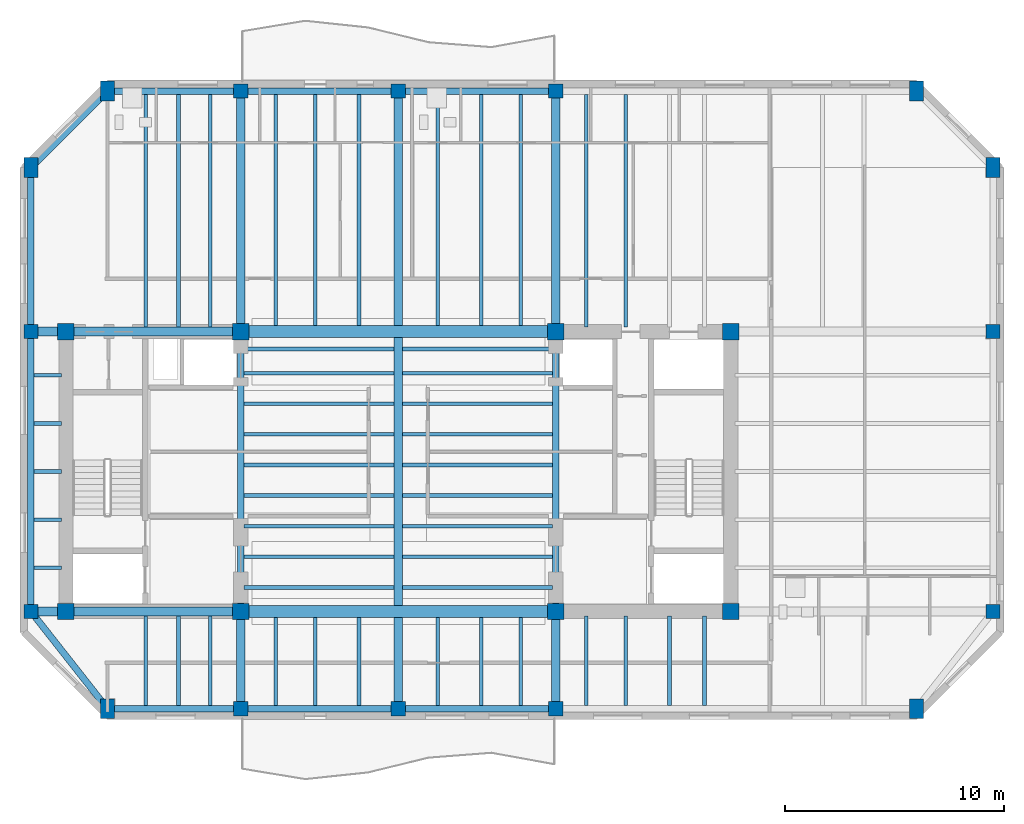
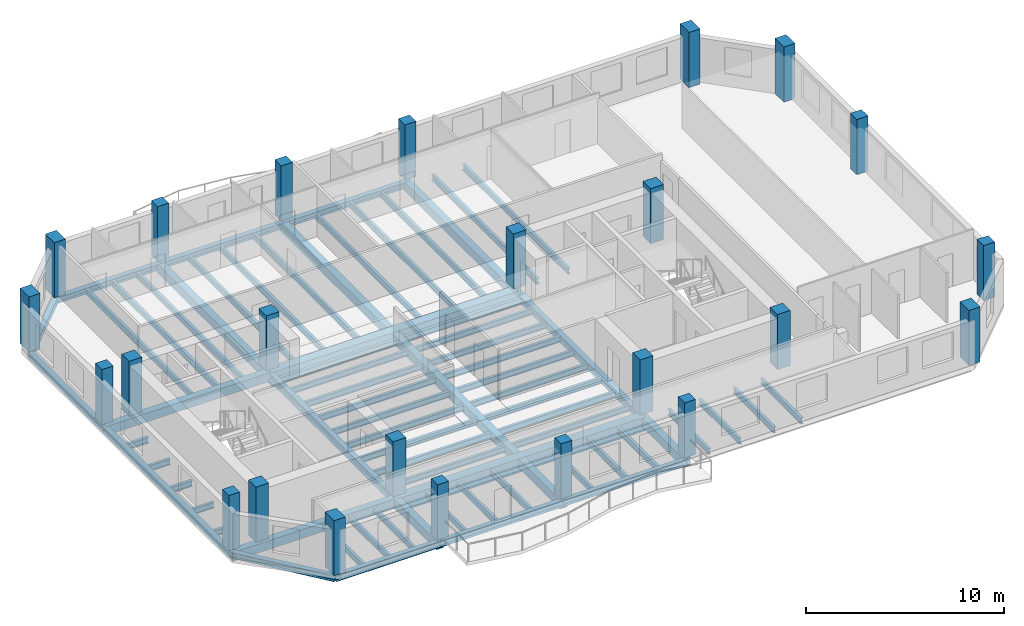
# One storey, part 1 of 9: 70 beams, 24 columns.
"""IFC4 building model written with IfcOpenShell, lengths in metres."""

from ifc_helpers import new_model, si_unit, direction, frame, origin, origin_2d, place, context, subcontext, project, spatial, rectangle, i_section, extrude, material, material_profile, profile_set, type_object, element, save


model = new_model("IFC4")

# Units and contexts
model_context = context("Model", 3, precision=1e-05, world=origin(), true_north=direction((0.0, 1.0)))
body_context = subcontext(model_context, "Body", "Model", "MODEL_VIEW")
ifc_project = project(units=[si_unit("LENGTHUNIT", "METRE"), si_unit("AREAUNIT", "SQUARE_METRE"), si_unit("VOLUMEUNIT", "CUBIC_METRE"), si_unit("PLANEANGLEUNIT", "RADIAN"), si_unit("MASSUNIT", "GRAM", prefix="KILO")], contexts=[model_context])

# Site, building, storey
site_placement = place(None, origin())
site = spatial("IfcSite", under=ifc_project, at=site_placement, CompositionType="ELEMENT")
building_placement = place(site_placement, origin())
building = spatial("IfcBuilding", under=site, at=building_placement, Name="Kranthara Brick Stack", CompositionType="ELEMENT")
storey_placement = place(building_placement, frame((0.0, 0.0, 251.699951171875)))
storey = spatial("IfcBuildingStorey", under=building, at=storey_placement, Name="L66", CompositionType="ELEMENT", Elevation=251.699951171875)

# Columns
ifc_material_1 = material(Name="Concrete C50/60", Category="concrete")
ifc_material_profile_1 = material_profile(ifc_material_1, rectangle(XDim=0.64990234375, YDim=0.89990234375, at=origin_2d()), Name="RC 650x900")
ifc_profile_set_1 = profile_set([ifc_material_profile_1], Name="Concrete C50/60")
column_type_1 = type_object("IfcColumnType", Name="COL-CHAM-650x900", PredefinedType="COLUMN", material=ifc_profile_set_1)
for number, where, z_axis, x_axis, name in (
    (1, (14.699951171875, 16.35009765625, 0.0), (0.0, 0.0, 1.0), (1.0, 0.0, 0.0), "L66 Column 09"),
    (2, (14.699951171875, 44.60009765625, 0.0), (0.0, 0.0, 1.0), (1.0, 0.0, 0.0), "L66 Column 10"),
    (3, (51.699951171875, 16.35009765625, 0.0), (0.0, 0.0, 1.0), (1.0, 0.0, 0.0), "L66 Column 17"),
    (4, (51.699951171875, 44.60009765625, 0.0), (0.0, 0.0, 1.0), (1.0, 0.0, 0.0), "L66 Column 18"),
    (5, (11.199951171875, 41.10009765625, 0.0), (0.0, 0.0, 1.0), (1.0, 0.0, 0.0), "L66 Column 23"),
    (6, (55.199951171875, 41.10009765625, 0.0), (0.0, 0.0, 1.0), (1.0, 0.0, 0.0), "L66 Column 24"),
):
    element("IfcColumn", number, at=place(storey_placement, frame(where, z_axis=z_axis, x_axis=x_axis)), inside=storey, type_object=column_type_1, Name=name, PredefinedType="COLUMN", context=body_context, shape_type="SweptSolid", body=[
        extrude(rectangle(XDim=0.64990234375, YDim=0.89990234375, at=origin_2d()), origin(), (0.0, 0.0, 1.0), 3.400146484375),
    ])
ifc_material_2 = material(Name="Concrete C50/60", Category="concrete")
ifc_material_profile_2 = material_profile(ifc_material_2, rectangle(XDim=0.75, YDim=0.75, at=origin_2d()), Name="RC 750x750")
ifc_profile_set_2 = profile_set([ifc_material_profile_2], Name="Concrete C50/60")
column_type_2 = type_object("IfcColumnType", Name="COL-CORE-750", PredefinedType="COLUMN", material=ifc_profile_set_2)
for number, where, z_axis, x_axis, name in (
    (7, (12.800048828125, 20.800048828125, 0.0), (0.0, 0.0, 1.0), (1.0, 0.0, 0.0), "L66 Column 01"),
    (8, (20.800048828125, 20.800048828125, 0.0), (0.0, 0.0, 1.0), (1.0, 0.0, 0.0), "L66 Column 02"),
    (9, (12.800048828125, 33.60009765625, 0.0), (0.0, 0.0, 1.0), (1.0, 0.0, 0.0), "L66 Column 03"),
    (10, (20.800048828125, 33.60009765625, 0.0), (0.0, 0.0, 1.0), (1.0, 0.0, 0.0), "L66 Column 04"),
    (11, (35.199951171875, 20.800048828125, 0.0), (0.0, 0.0, 1.0), (1.0, 0.0, 0.0), "L66 Column 05"),
    (12, (43.199951171875, 20.800048828125, 0.0), (0.0, 0.0, 1.0), (1.0, 0.0, 0.0), "L66 Column 06"),
    (13, (35.199951171875, 33.60009765625, 0.0), (0.0, 0.0, 1.0), (1.0, 0.0, 0.0), "L66 Column 07"),
    (14, (43.199951171875, 33.60009765625, 0.0), (0.0, 0.0, 1.0), (1.0, 0.0, 0.0), "L66 Column 08"),
):
    element("IfcColumn", number, at=place(storey_placement, frame(where, z_axis=z_axis, x_axis=x_axis)), inside=storey, type_object=column_type_2, Name=name, PredefinedType="COLUMN", context=body_context, shape_type="SweptSolid", body=[
        extrude(rectangle(XDim=0.75, YDim=0.75, at=origin_2d()), origin(), (0.0, 0.0, 1.0), 3.400146484375),
    ])
ifc_material_3 = material(Name="Concrete C50/60", Category="concrete")
ifc_material_profile_3 = material_profile(ifc_material_3, rectangle(XDim=0.64990234375, YDim=0.64990234375, at=origin_2d()), Name="RC 650x650")
ifc_profile_set_3 = profile_set([ifc_material_profile_3], Name="Concrete C50/60")
column_type_3 = type_object("IfcColumnType", Name="COL-PER-650", PredefinedType="COLUMN", material=ifc_profile_set_3)
for number, where, z_axis, x_axis, name in (
    (15, (20.800048828125, 16.35009765625, 0.0), (0.0, 0.0, 1.0), (1.0, 0.0, 0.0), "L66 Column 11"),
    (16, (20.800048828125, 44.60009765625, 0.0), (0.0, 0.0, 1.0), (1.0, 0.0, 0.0), "L66 Column 12"),
    (17, (28.0, 16.35009765625, 0.0), (0.0, 0.0, 1.0), (1.0, 0.0, 0.0), "L66 Column 13"),
    (18, (28.0, 44.60009765625, 0.0), (0.0, 0.0, 1.0), (1.0, 0.0, 0.0), "L66 Column 14"),
    (19, (35.199951171875, 16.35009765625, 0.0), (0.0, 0.0, 1.0), (1.0, 0.0, 0.0), "L66 Column 15"),
    (20, (35.199951171875, 44.60009765625, 0.0), (0.0, 0.0, 1.0), (1.0, 0.0, 0.0), "L66 Column 16"),
    (21, (11.199951171875, 20.800048828125, 0.0), (0.0, 0.0, 1.0), (1.0, 0.0, 0.0), "L66 Column 19"),
    (22, (55.199951171875, 20.800048828125, 0.0), (0.0, 0.0, 1.0), (1.0, 0.0, 0.0), "L66 Column 20"),
    (23, (11.199951171875, 33.60009765625, 0.0), (0.0, 0.0, 1.0), (1.0, 0.0, 0.0), "L66 Column 21"),
    (24, (55.199951171875, 33.60009765625, 0.0), (0.0, 0.0, 1.0), (1.0, 0.0, 0.0), "L66 Column 22"),
):
    element("IfcColumn", number, at=place(storey_placement, frame(where, z_axis=z_axis, x_axis=x_axis)), inside=storey, type_object=column_type_3, Name=name, PredefinedType="COLUMN", context=body_context, shape_type="SweptSolid", body=[
        extrude(rectangle(XDim=0.64990234375, YDim=0.64990234375, at=origin_2d()), origin(), (0.0, 0.0, 1.0), 3.400146484375),
    ])

# Beams
ifc_material_4 = material(Name="Concrete C50/60", Category="concrete")
ifc_material_profile_4 = material_profile(ifc_material_4, rectangle(XDim=0.550048828125, YDim=0.85009765625, at=origin_2d()), Name="RC 550x850")
ifc_profile_set_4 = profile_set([ifc_material_profile_4], Name="Concrete C50/60")
beam_type_1 = type_object("IfcBeamType", Name="BM-CPL-RC850", PredefinedType="LINTEL", material=ifc_profile_set_4)
for number, where, z_axis, x_axis, name in (
    (25, (20.800048828125, 20.800048828125, -0.724853515625), (1.0, 0.0, 0.0), (0.0, 1.0, 0.0), "L66 Core Coupling Beam 001"),
    (26, (20.800048828125, 33.60009765625, -0.724853515625), (1.0, 0.0, 0.0), (0.0, 1.0, 0.0), "L66 Core Coupling Beam 002"),
):
    element("IfcBeam", number, at=place(storey_placement, frame(where, z_axis=z_axis, x_axis=x_axis)), inside=storey, type_object=beam_type_1, Name=name, PredefinedType="LINTEL", context=body_context, shape_type="SweptSolid", body=[
        extrude(rectangle(XDim=0.550048828125, YDim=0.85009765625, at=origin_2d()), origin(), (0.0, 0.0, 1.0), 14.39990234375),
    ])
ifc_material_5 = material(Name="Post-tensioned concrete C45/55", Category="concrete")
ifc_material_profile_5 = material_profile(ifc_material_5, rectangle(XDim=0.39990234375, YDim=0.550048828125, at=origin_2d()), Name="PT 400x550")
ifc_profile_set_5 = profile_set([ifc_material_profile_5], Name="Post-tensioned concrete C45/55")
beam_type_2 = type_object("IfcBeamType", Name="BM-FLR-PT550", PredefinedType="BEAM", material=ifc_profile_set_5)
beam_1_placement = place(storey_placement, frame((20.800048828125, 16.35009765625, -0.574951171875), z_axis=(0.0, 1.0, 0.0), x_axis=(-1.0, 0.0, 0.0)))
element("IfcBeam", 27, at=beam_1_placement, inside=storey, type_object=beam_type_2, Name="L66 Primary Grid Girder 021", PredefinedType="BEAM", context=body_context, shape_type="SweptSolid", body=[
    extrude(rectangle(XDim=0.39990234375, YDim=0.550048828125, at=origin_2d()), origin(), (0.0, 0.0, 1.0), 4.449951171875),
])
beam_2_placement = place(storey_placement, frame((20.800048828125, 33.60009765625, -0.574951171875), z_axis=(0.0, 1.0, 0.0), x_axis=(-1.0, 0.0, 0.0)))
element("IfcBeam", 28, at=beam_2_placement, inside=storey, type_object=beam_type_2, Name="L66 Primary Grid Girder 022", PredefinedType="BEAM", context=body_context, shape_type="SweptSolid", body=[
    extrude(rectangle(XDim=0.39990234375, YDim=0.550048828125, at=origin_2d()), origin(), (0.0, 0.0, 1.0), 11.0),
])
beam_3_placement = place(storey_placement, frame((28.0, 16.35009765625, -0.574951171875), z_axis=(0.0, 1.0, 0.0), x_axis=(-1.0, 0.0, 0.0)))
element("IfcBeam", 29, at=beam_3_placement, inside=storey, type_object=beam_type_2, Name="L66 Primary Grid Girder 023", PredefinedType="BEAM", context=body_context, shape_type="SweptSolid", body=[
    extrude(rectangle(XDim=0.39990234375, YDim=0.550048828125, at=origin_2d()), origin(), (0.0, 0.0, 1.0), 4.1748046875),
])
beam_4_placement = place(storey_placement, frame((28.0, 21.074951171875, -0.574951171875), z_axis=(0.0, 1.0, 0.0), x_axis=(-1.0, 0.0, 0.0)))
element("IfcBeam", 30, at=beam_4_placement, inside=storey, type_object=beam_type_2, Name="L66 Central Spine Girder 024", PredefinedType="BEAM", context=body_context, shape_type="SweptSolid", body=[
    extrude(rectangle(XDim=0.39990234375, YDim=0.550048828125, at=origin_2d()), origin(), (0.0, 0.0, 1.0), 12.25),
])
beam_5_placement = place(storey_placement, frame((28.0, 33.875, -0.574951171875), z_axis=(0.0, 1.0, 0.0), x_axis=(-1.0, 0.0, 0.0)))
element("IfcBeam", 31, at=beam_5_placement, inside=storey, type_object=beam_type_2, Name="L66 Primary Grid Girder 025", PredefinedType="BEAM", context=body_context, shape_type="SweptSolid", body=[
    extrude(rectangle(XDim=0.39990234375, YDim=0.550048828125, at=origin_2d()), origin(), (0.0, 0.0, 1.0), 10.72509765625),
])
beam_6_placement = place(storey_placement, frame((35.199951171875, 16.35009765625, -0.574951171875), z_axis=(0.0, 1.0, 0.0), x_axis=(-1.0, 0.0, 0.0)))
element("IfcBeam", 32, at=beam_6_placement, inside=storey, type_object=beam_type_2, Name="L66 Primary Grid Girder 026", PredefinedType="BEAM", context=body_context, shape_type="SweptSolid", body=[
    extrude(rectangle(XDim=0.39990234375, YDim=0.550048828125, at=origin_2d()), origin(), (0.0, 0.0, 1.0), 4.449951171875),
])
beam_7_placement = place(storey_placement, frame((35.199951171875, 33.60009765625, -0.574951171875), z_axis=(0.0, 1.0, 0.0), x_axis=(-1.0, 0.0, 0.0)))
element("IfcBeam", 33, at=beam_7_placement, inside=storey, type_object=beam_type_2, Name="L66 Primary Grid Girder 027", PredefinedType="BEAM", context=body_context, shape_type="SweptSolid", body=[
    extrude(rectangle(XDim=0.39990234375, YDim=0.550048828125, at=origin_2d()), origin(), (0.0, 0.0, 1.0), 11.0),
])
for number, where, z_axis, x_axis, name in (
    (34, (11.199951171875, 20.800048828125, -0.574951171875), (1.0, 0.0, 0.0), (0.0, 1.0, 0.0), "L66 Primary Grid Girder 028"),
    (35, (11.199951171875, 33.60009765625, -0.574951171875), (1.0, 0.0, 0.0), (0.0, 1.0, 0.0), "L66 Primary Grid Girder 030"),
):
    element("IfcBeam", number, at=place(storey_placement, frame(where, z_axis=z_axis, x_axis=x_axis)), inside=storey, type_object=beam_type_2, Name=name, PredefinedType="BEAM", context=body_context, shape_type="SweptSolid", body=[
        extrude(rectangle(XDim=0.39990234375, YDim=0.550048828125, at=origin_2d()), origin(), (0.0, 0.0, 1.0), 9.60009765625),
    ])
ifc_material_6 = material(Name="Steel S355", Category="steel")
ifc_material_profile_6 = material_profile(ifc_material_6, i_section(OverallWidth=0.169921875, OverallDepth=0.360107421875, WebThickness=0.008056640625, FlangeThickness=0.0126953125, at=origin_2d()), Name="IPE 360")
ifc_profile_set_6 = profile_set([ifc_material_profile_6], Name="Steel S355")
beam_type_3 = type_object("IfcBeamType", Name="BM-JST-IPE360", PredefinedType="JOIST", material=ifc_profile_set_6)
for number, where, z_axis, x_axis, name in (
    (36, (20.949951171875, 21.89990234375, -0.47998046875), (1.0, 0.0, 0.0), (0.0, 1.0, 0.0), "L66 Central Floor Joist 032"),
    (37, (28.199951171875, 21.89990234375, -0.47998046875), (1.0, 0.0, 0.0), (0.0, 1.0, 0.0), "L66 Central Floor Joist 033"),
    (38, (20.949951171875, 23.300048828125, -0.47998046875), (1.0, 0.0, 0.0), (0.0, 1.0, 0.0), "L66 Central Floor Joist 034"),
    (39, (28.199951171875, 23.300048828125, -0.47998046875), (1.0, 0.0, 0.0), (0.0, 1.0, 0.0), "L66 Central Floor Joist 035"),
    (40, (20.949951171875, 24.699951171875, -0.47998046875), (1.0, 0.0, 0.0), (0.0, 1.0, 0.0), "L66 Central Floor Joist 036"),
    (41, (28.199951171875, 24.699951171875, -0.47998046875), (1.0, 0.0, 0.0), (0.0, 1.0, 0.0), "L66 Central Floor Joist 037"),
    (42, (20.949951171875, 26.10009765625, -0.47998046875), (1.0, 0.0, 0.0), (0.0, 1.0, 0.0), "L66 Central Floor Joist 038"),
    (43, (28.199951171875, 26.10009765625, -0.47998046875), (1.0, 0.0, 0.0), (0.0, 1.0, 0.0), "L66 Central Floor Joist 039"),
    (44, (20.949951171875, 27.5, -0.47998046875), (1.0, 0.0, 0.0), (0.0, 1.0, 0.0), "L66 Central Floor Joist 040"),
    (45, (28.199951171875, 27.5, -0.47998046875), (1.0, 0.0, 0.0), (0.0, 1.0, 0.0), "L66 Central Floor Joist 041"),
    (46, (20.949951171875, 28.89990234375, -0.47998046875), (1.0, 0.0, 0.0), (0.0, 1.0, 0.0), "L66 Central Floor Joist 042"),
    (47, (28.199951171875, 28.89990234375, -0.47998046875), (1.0, 0.0, 0.0), (0.0, 1.0, 0.0), "L66 Central Floor Joist 043"),
    (48, (20.949951171875, 30.300048828125, -0.47998046875), (1.0, 0.0, 0.0), (0.0, 1.0, 0.0), "L66 Central Floor Joist 044"),
    (49, (28.199951171875, 30.300048828125, -0.47998046875), (1.0, 0.0, 0.0), (0.0, 1.0, 0.0), "L66 Central Floor Joist 045"),
    (50, (20.949951171875, 31.699951171875, -0.47998046875), (1.0, 0.0, 0.0), (0.0, 1.0, 0.0), "L66 Central Floor Joist 046"),
    (51, (28.199951171875, 31.699951171875, -0.47998046875), (1.0, 0.0, 0.0), (0.0, 1.0, 0.0), "L66 Central Floor Joist 047"),
    (52, (20.949951171875, 32.800048828125, -0.47998046875), (1.0, 0.0, 0.0), (0.0, 1.0, 0.0), "L66 Central Floor Joist 048"),
    (53, (28.199951171875, 32.800048828125, -0.47998046875), (1.0, 0.0, 0.0), (0.0, 1.0, 0.0), "L66 Central Floor Joist 049"),
):
    element("IfcBeam", number, at=place(storey_placement, frame(where, z_axis=z_axis, x_axis=x_axis)), inside=storey, type_object=beam_type_3, Name=name, PredefinedType="JOIST", context=body_context, shape_type="SweptSolid", body=[
        extrude(i_section(OverallWidth=0.169921875, OverallDepth=0.360107421875, WebThickness=0.008056640625, FlangeThickness=0.0126953125, at=origin_2d()), origin(), (0.0, 0.0, 1.0), 6.85009765625),
    ])
beam_8_placement = place(storey_placement, frame((16.449951171875, 16.5, -0.47998046875), z_axis=(0.0, 1.0, 0.0), x_axis=(-1.0, 0.0, 0.0)))
element("IfcBeam", 54, at=beam_8_placement, inside=storey, type_object=beam_type_3, Name="L66 South Wing Floor Joist 050", PredefinedType="JOIST", context=body_context, shape_type="SweptSolid", body=[
    extrude(i_section(OverallWidth=0.169921875, OverallDepth=0.360107421875, WebThickness=0.008056640625, FlangeThickness=0.0126953125, at=origin_2d()), origin(), (0.0, 0.0, 1.0), 4.10009765625),
])
beam_9_placement = place(storey_placement, frame((16.449951171875, 33.800048828125, -0.47998046875), z_axis=(0.0, 1.0, 0.0), x_axis=(-1.0, 0.0, 0.0)))
element("IfcBeam", 55, at=beam_9_placement, inside=storey, type_object=beam_type_3, Name="L66 North Wing Floor Joist 051", PredefinedType="JOIST", context=body_context, shape_type="SweptSolid", body=[
    extrude(i_section(OverallWidth=0.169921875, OverallDepth=0.360107421875, WebThickness=0.008056640625, FlangeThickness=0.0126953125, at=origin_2d()), origin(), (0.0, 0.0, 1.0), 10.64990234375),
])
beam_10_placement = place(storey_placement, frame((17.949951171875, 16.5, -0.47998046875), z_axis=(0.0, 1.0, 0.0), x_axis=(-1.0, 0.0, 0.0)))
element("IfcBeam", 56, at=beam_10_placement, inside=storey, type_object=beam_type_3, Name="L66 South Wing Floor Joist 052", PredefinedType="JOIST", context=body_context, shape_type="SweptSolid", body=[
    extrude(i_section(OverallWidth=0.169921875, OverallDepth=0.360107421875, WebThickness=0.008056640625, FlangeThickness=0.0126953125, at=origin_2d()), origin(), (0.0, 0.0, 1.0), 4.10009765625),
])
beam_11_placement = place(storey_placement, frame((17.949951171875, 33.800048828125, -0.47998046875), z_axis=(0.0, 1.0, 0.0), x_axis=(-1.0, 0.0, 0.0)))
element("IfcBeam", 57, at=beam_11_placement, inside=storey, type_object=beam_type_3, Name="L66 North Wing Floor Joist 053", PredefinedType="JOIST", context=body_context, shape_type="SweptSolid", body=[
    extrude(i_section(OverallWidth=0.169921875, OverallDepth=0.360107421875, WebThickness=0.008056640625, FlangeThickness=0.0126953125, at=origin_2d()), origin(), (0.0, 0.0, 1.0), 10.64990234375),
])
beam_12_placement = place(storey_placement, frame((19.39990234375, 16.5, -0.47998046875), z_axis=(0.0, 1.0, 0.0), x_axis=(-1.0, 0.0, 0.0)))
element("IfcBeam", 58, at=beam_12_placement, inside=storey, type_object=beam_type_3, Name="L66 South Wing Floor Joist 054", PredefinedType="JOIST", context=body_context, shape_type="SweptSolid", body=[
    extrude(i_section(OverallWidth=0.169921875, OverallDepth=0.360107421875, WebThickness=0.008056640625, FlangeThickness=0.0126953125, at=origin_2d()), origin(), (0.0, 0.0, 1.0), 4.10009765625),
])
beam_13_placement = place(storey_placement, frame((19.39990234375, 33.800048828125, -0.47998046875), z_axis=(0.0, 1.0, 0.0), x_axis=(-1.0, 0.0, 0.0)))
element("IfcBeam", 59, at=beam_13_placement, inside=storey, type_object=beam_type_3, Name="L66 North Wing Floor Joist 055", PredefinedType="JOIST", context=body_context, shape_type="SweptSolid", body=[
    extrude(i_section(OverallWidth=0.169921875, OverallDepth=0.360107421875, WebThickness=0.008056640625, FlangeThickness=0.0126953125, at=origin_2d()), origin(), (0.0, 0.0, 1.0), 10.64990234375),
])
beam_14_placement = place(storey_placement, frame((22.39990234375, 16.5, -0.47998046875), z_axis=(0.0, 1.0, 0.0), x_axis=(-1.0, 0.0, 0.0)))
element("IfcBeam", 60, at=beam_14_placement, inside=storey, type_object=beam_type_3, Name="L66 South Wing Floor Joist 056", PredefinedType="JOIST", context=body_context, shape_type="SweptSolid", body=[
    extrude(i_section(OverallWidth=0.169921875, OverallDepth=0.360107421875, WebThickness=0.008056640625, FlangeThickness=0.0126953125, at=origin_2d()), origin(), (0.0, 0.0, 1.0), 4.02490234375),
])
beam_15_placement = place(storey_placement, frame((22.39990234375, 33.875, -0.47998046875), z_axis=(0.0, 1.0, 0.0), x_axis=(-1.0, 0.0, 0.0)))
element("IfcBeam", 61, at=beam_15_placement, inside=storey, type_object=beam_type_3, Name="L66 North Wing Floor Joist 057", PredefinedType="JOIST", context=body_context, shape_type="SweptSolid", body=[
    extrude(i_section(OverallWidth=0.169921875, OverallDepth=0.360107421875, WebThickness=0.008056640625, FlangeThickness=0.0126953125, at=origin_2d()), origin(), (0.0, 0.0, 1.0), 10.574951171875),
])
beam_16_placement = place(storey_placement, frame((24.199951171875, 16.5, -0.47998046875), z_axis=(0.0, 1.0, 0.0), x_axis=(-1.0, 0.0, 0.0)))
element("IfcBeam", 62, at=beam_16_placement, inside=storey, type_object=beam_type_3, Name="L66 South Wing Floor Joist 058", PredefinedType="JOIST", context=body_context, shape_type="SweptSolid", body=[
    extrude(i_section(OverallWidth=0.169921875, OverallDepth=0.360107421875, WebThickness=0.008056640625, FlangeThickness=0.0126953125, at=origin_2d()), origin(), (0.0, 0.0, 1.0), 4.02490234375),
])
beam_17_placement = place(storey_placement, frame((24.199951171875, 33.875, -0.47998046875), z_axis=(0.0, 1.0, 0.0), x_axis=(-1.0, 0.0, 0.0)))
element("IfcBeam", 63, at=beam_17_placement, inside=storey, type_object=beam_type_3, Name="L66 North Wing Floor Joist 059", PredefinedType="JOIST", context=body_context, shape_type="SweptSolid", body=[
    extrude(i_section(OverallWidth=0.169921875, OverallDepth=0.360107421875, WebThickness=0.008056640625, FlangeThickness=0.0126953125, at=origin_2d()), origin(), (0.0, 0.0, 1.0), 10.574951171875),
])
beam_18_placement = place(storey_placement, frame((26.199951171875, 16.5, -0.47998046875), z_axis=(0.0, 1.0, 0.0), x_axis=(-1.0, 0.0, 0.0)))
element("IfcBeam", 64, at=beam_18_placement, inside=storey, type_object=beam_type_3, Name="L66 South Wing Floor Joist 060", PredefinedType="JOIST", context=body_context, shape_type="SweptSolid", body=[
    extrude(i_section(OverallWidth=0.169921875, OverallDepth=0.360107421875, WebThickness=0.008056640625, FlangeThickness=0.0126953125, at=origin_2d()), origin(), (0.0, 0.0, 1.0), 4.02490234375),
])
beam_19_placement = place(storey_placement, frame((26.199951171875, 33.875, -0.47998046875), z_axis=(0.0, 1.0, 0.0), x_axis=(-1.0, 0.0, 0.0)))
element("IfcBeam", 65, at=beam_19_placement, inside=storey, type_object=beam_type_3, Name="L66 North Wing Floor Joist 061", PredefinedType="JOIST", context=body_context, shape_type="SweptSolid", body=[
    extrude(i_section(OverallWidth=0.169921875, OverallDepth=0.360107421875, WebThickness=0.008056640625, FlangeThickness=0.0126953125, at=origin_2d()), origin(), (0.0, 0.0, 1.0), 10.574951171875),
])
beam_20_placement = place(storey_placement, frame((29.800048828125, 16.5, -0.47998046875), z_axis=(0.0, 1.0, 0.0), x_axis=(-1.0, 0.0, 0.0)))
element("IfcBeam", 66, at=beam_20_placement, inside=storey, type_object=beam_type_3, Name="L66 South Wing Floor Joist 062", PredefinedType="JOIST", context=body_context, shape_type="SweptSolid", body=[
    extrude(i_section(OverallWidth=0.169921875, OverallDepth=0.360107421875, WebThickness=0.008056640625, FlangeThickness=0.0126953125, at=origin_2d()), origin(), (0.0, 0.0, 1.0), 4.02490234375),
])
beam_21_placement = place(storey_placement, frame((29.800048828125, 33.875, -0.47998046875), z_axis=(0.0, 1.0, 0.0), x_axis=(-1.0, 0.0, 0.0)))
element("IfcBeam", 67, at=beam_21_placement, inside=storey, type_object=beam_type_3, Name="L66 North Wing Floor Joist 063", PredefinedType="JOIST", context=body_context, shape_type="SweptSolid", body=[
    extrude(i_section(OverallWidth=0.169921875, OverallDepth=0.360107421875, WebThickness=0.008056640625, FlangeThickness=0.0126953125, at=origin_2d()), origin(), (0.0, 0.0, 1.0), 10.574951171875),
])
beam_22_placement = place(storey_placement, frame((31.800048828125, 16.5, -0.47998046875), z_axis=(0.0, 1.0, 0.0), x_axis=(-1.0, 0.0, 0.0)))
element("IfcBeam", 68, at=beam_22_placement, inside=storey, type_object=beam_type_3, Name="L66 South Wing Floor Joist 064", PredefinedType="JOIST", context=body_context, shape_type="SweptSolid", body=[
    extrude(i_section(OverallWidth=0.169921875, OverallDepth=0.360107421875, WebThickness=0.008056640625, FlangeThickness=0.0126953125, at=origin_2d()), origin(), (0.0, 0.0, 1.0), 4.02490234375),
])
beam_23_placement = place(storey_placement, frame((31.800048828125, 33.875, -0.47998046875), z_axis=(0.0, 1.0, 0.0), x_axis=(-1.0, 0.0, 0.0)))
element("IfcBeam", 69, at=beam_23_placement, inside=storey, type_object=beam_type_3, Name="L66 North Wing Floor Joist 065", PredefinedType="JOIST", context=body_context, shape_type="SweptSolid", body=[
    extrude(i_section(OverallWidth=0.169921875, OverallDepth=0.360107421875, WebThickness=0.008056640625, FlangeThickness=0.0126953125, at=origin_2d()), origin(), (0.0, 0.0, 1.0), 10.574951171875),
])
beam_24_placement = place(storey_placement, frame((33.60009765625, 16.5, -0.47998046875), z_axis=(0.0, 1.0, 0.0), x_axis=(-1.0, 0.0, 0.0)))
element("IfcBeam", 70, at=beam_24_placement, inside=storey, type_object=beam_type_3, Name="L66 South Wing Floor Joist 066", PredefinedType="JOIST", context=body_context, shape_type="SweptSolid", body=[
    extrude(i_section(OverallWidth=0.169921875, OverallDepth=0.360107421875, WebThickness=0.008056640625, FlangeThickness=0.0126953125, at=origin_2d()), origin(), (0.0, 0.0, 1.0), 4.02490234375),
])
beam_25_placement = place(storey_placement, frame((33.60009765625, 33.875, -0.47998046875), z_axis=(0.0, 1.0, 0.0), x_axis=(-1.0, 0.0, 0.0)))
element("IfcBeam", 71, at=beam_25_placement, inside=storey, type_object=beam_type_3, Name="L66 North Wing Floor Joist 067", PredefinedType="JOIST", context=body_context, shape_type="SweptSolid", body=[
    extrude(i_section(OverallWidth=0.169921875, OverallDepth=0.360107421875, WebThickness=0.008056640625, FlangeThickness=0.0126953125, at=origin_2d()), origin(), (0.0, 0.0, 1.0), 10.574951171875),
])
beam_26_placement = place(storey_placement, frame((36.60009765625, 16.5, -0.47998046875), z_axis=(0.0, 1.0, 0.0), x_axis=(-1.0, 0.0, 0.0)))
element("IfcBeam", 72, at=beam_26_placement, inside=storey, type_object=beam_type_3, Name="L66 South Wing Floor Joist 068", PredefinedType="JOIST", context=body_context, shape_type="SweptSolid", body=[
    extrude(i_section(OverallWidth=0.169921875, OverallDepth=0.360107421875, WebThickness=0.008056640625, FlangeThickness=0.0126953125, at=origin_2d()), origin(), (0.0, 0.0, 1.0), 4.10009765625),
])
beam_27_placement = place(storey_placement, frame((36.60009765625, 33.800048828125, -0.47998046875), z_axis=(0.0, 1.0, 0.0), x_axis=(-1.0, 0.0, 0.0)))
element("IfcBeam", 73, at=beam_27_placement, inside=storey, type_object=beam_type_3, Name="L66 North Wing Floor Joist 069", PredefinedType="JOIST", context=body_context, shape_type="SweptSolid", body=[
    extrude(i_section(OverallWidth=0.169921875, OverallDepth=0.360107421875, WebThickness=0.008056640625, FlangeThickness=0.0126953125, at=origin_2d()), origin(), (0.0, 0.0, 1.0), 10.64990234375),
])
beam_28_placement = place(storey_placement, frame((38.39990234375, 16.5, -0.47998046875), z_axis=(0.0, 1.0, 0.0), x_axis=(-1.0, 0.0, 0.0)))
element("IfcBeam", 74, at=beam_28_placement, inside=storey, type_object=beam_type_3, Name="L66 South Wing Floor Joist 070", PredefinedType="JOIST", context=body_context, shape_type="SweptSolid", body=[
    extrude(i_section(OverallWidth=0.169921875, OverallDepth=0.360107421875, WebThickness=0.008056640625, FlangeThickness=0.0126953125, at=origin_2d()), origin(), (0.0, 0.0, 1.0), 4.10009765625),
])
beam_29_placement = place(storey_placement, frame((38.39990234375, 33.800048828125, -0.47998046875), z_axis=(0.0, 1.0, 0.0), x_axis=(-1.0, 0.0, 0.0)))
element("IfcBeam", 75, at=beam_29_placement, inside=storey, type_object=beam_type_3, Name="L66 North Wing Floor Joist 071", PredefinedType="JOIST", context=body_context, shape_type="SweptSolid", body=[
    extrude(i_section(OverallWidth=0.169921875, OverallDepth=0.360107421875, WebThickness=0.008056640625, FlangeThickness=0.0126953125, at=origin_2d()), origin(), (0.0, 0.0, 1.0), 10.64990234375),
])
for number, where, z_axis, x_axis, name in (
    (76, (40.39990234375, 16.5, -0.47998046875), (0.0, 1.0, 0.0), (-1.0, 0.0, 0.0), "L66 South Wing Floor Joist 072"),
    (77, (42.0, 16.5, -0.47998046875), (0.0, 1.0, 0.0), (-1.0, 0.0, 0.0), "L66 South Wing Floor Joist 074"),
):
    element("IfcBeam", number, at=place(storey_placement, frame(where, z_axis=z_axis, x_axis=x_axis)), inside=storey, type_object=beam_type_3, Name=name, PredefinedType="JOIST", context=body_context, shape_type="SweptSolid", body=[
        extrude(i_section(OverallWidth=0.169921875, OverallDepth=0.360107421875, WebThickness=0.008056640625, FlangeThickness=0.0126953125, at=origin_2d()), origin(), (0.0, 0.0, 1.0), 4.10009765625),
    ])
for number, where, z_axis, x_axis, name in (
    (78, (11.35009765625, 22.800048828125, -0.47998046875), (1.0, 0.0, 0.0), (0.0, 1.0, 0.0), "L66 West Wing Floor Joist 082"),
    (79, (11.35009765625, 25.0, -0.47998046875), (1.0, 0.0, 0.0), (0.0, 1.0, 0.0), "L66 West Wing Floor Joist 084"),
    (80, (11.35009765625, 27.199951171875, -0.47998046875), (1.0, 0.0, 0.0), (0.0, 1.0, 0.0), "L66 West Wing Floor Joist 086"),
    (81, (11.35009765625, 29.39990234375, -0.47998046875), (1.0, 0.0, 0.0), (0.0, 1.0, 0.0), "L66 West Wing Floor Joist 088"),
    (82, (11.35009765625, 31.60009765625, -0.47998046875), (1.0, 0.0, 0.0), (0.0, 1.0, 0.0), "L66 West Wing Floor Joist 090"),
):
    element("IfcBeam", number, at=place(storey_placement, frame(where, z_axis=z_axis, x_axis=x_axis)), inside=storey, type_object=beam_type_3, Name=name, PredefinedType="JOIST", context=body_context, shape_type="SweptSolid", body=[
        extrude(i_section(OverallWidth=0.169921875, OverallDepth=0.360107421875, WebThickness=0.008056640625, FlangeThickness=0.0126953125, at=origin_2d()), origin(), (0.0, 0.0, 1.0), 1.25),
    ])
ifc_material_7 = material(Name="Steel S355", Category="steel")
ifc_material_profile_7 = material_profile(ifc_material_7, i_section(OverallWidth=0.300048828125, OverallDepth=0.360107421875, WebThickness=0.012451171875, FlangeThickness=0.0224609375, at=origin_2d()), Name="HEB 360")
ifc_profile_set_7 = profile_set([ifc_material_profile_7], Name="Steel S355")
beam_type_4 = type_object("IfcBeamType", Name="BM-STL-HEB360", PredefinedType="SPANDREL", material=ifc_profile_set_7)
beam_30_placement = place(storey_placement, frame((14.699951171875, 16.35009765625, -0.47998046875), z_axis=(1.0, 0.0, 0.0), x_axis=(0.0, 1.0, 0.0)))
element("IfcBeam", 83, at=beam_30_placement, inside=storey, type_object=beam_type_4, Name="L66 Perimeter Spandrel Beam 005", PredefinedType="SPANDREL", context=body_context, shape_type="SweptSolid", body=[
    extrude(i_section(OverallWidth=0.300048828125, OverallDepth=0.360107421875, WebThickness=0.012451171875, FlangeThickness=0.0224609375, at=origin_2d()), origin(), (0.0, 0.0, 1.0), 6.10009765625),
])
for number, where, z_axis, x_axis, name in (
    (84, (20.800048828125, 16.35009765625, -0.47998046875), (1.0, 0.0, 0.0), (0.0, 1.0, 0.0), "L66 Perimeter Spandrel Beam 006"),
    (85, (28.0, 16.35009765625, -0.47998046875), (1.0, 0.0, 0.0), (0.0, 1.0, 0.0), "L66 Perimeter Spandrel Beam 007"),
):
    element("IfcBeam", number, at=place(storey_placement, frame(where, z_axis=z_axis, x_axis=x_axis)), inside=storey, type_object=beam_type_4, Name=name, PredefinedType="SPANDREL", context=body_context, shape_type="SweptSolid", body=[
        extrude(i_section(OverallWidth=0.300048828125, OverallDepth=0.360107421875, WebThickness=0.012451171875, FlangeThickness=0.0224609375, at=origin_2d()), origin(), (0.0, 0.0, 1.0), 7.199951171875),
    ])
beam_31_placement = place(storey_placement, frame((14.699951171875, 44.60009765625, -0.47998046875), z_axis=(1.0, 0.0, 0.0), x_axis=(0.0, 1.0, 0.0)))
element("IfcBeam", 86, at=beam_31_placement, inside=storey, type_object=beam_type_4, Name="L66 Perimeter Spandrel Beam 009", PredefinedType="SPANDREL", context=body_context, shape_type="SweptSolid", body=[
    extrude(i_section(OverallWidth=0.300048828125, OverallDepth=0.360107421875, WebThickness=0.012451171875, FlangeThickness=0.0224609375, at=origin_2d()), origin(), (0.0, 0.0, 1.0), 6.10009765625),
])
for number, where, z_axis, x_axis, name in (
    (87, (20.800048828125, 44.60009765625, -0.47998046875), (1.0, 0.0, 0.0), (0.0, 1.0, 0.0), "L66 Perimeter Spandrel Beam 010"),
    (88, (28.0, 44.60009765625, -0.47998046875), (1.0, 0.0, 0.0), (0.0, 1.0, 0.0), "L66 Perimeter Spandrel Beam 011"),
):
    element("IfcBeam", number, at=place(storey_placement, frame(where, z_axis=z_axis, x_axis=x_axis)), inside=storey, type_object=beam_type_4, Name=name, PredefinedType="SPANDREL", context=body_context, shape_type="SweptSolid", body=[
        extrude(i_section(OverallWidth=0.300048828125, OverallDepth=0.360107421875, WebThickness=0.012451171875, FlangeThickness=0.0224609375, at=origin_2d()), origin(), (0.0, 0.0, 1.0), 7.199951171875),
    ])
beam_32_placement = place(storey_placement, frame((11.199951171875, 20.800048828125, -0.47998046875), z_axis=(0.0, 1.0, 0.0), x_axis=(-1.0, 0.0, 0.0)))
element("IfcBeam", 89, at=beam_32_placement, inside=storey, type_object=beam_type_4, Name="L66 Perimeter Spandrel Beam 013", PredefinedType="SPANDREL", context=body_context, shape_type="SweptSolid", body=[
    extrude(i_section(OverallWidth=0.300048828125, OverallDepth=0.360107421875, WebThickness=0.012451171875, FlangeThickness=0.0224609375, at=origin_2d()), origin(), (0.0, 0.0, 1.0), 12.800048828125),
])
beam_33_placement = place(storey_placement, frame((11.199951171875, 33.60009765625, -0.47998046875), z_axis=(0.0, 1.0, 0.0), x_axis=(-1.0, 0.0, 0.0)))
element("IfcBeam", 90, at=beam_33_placement, inside=storey, type_object=beam_type_4, Name="L66 Perimeter Spandrel Beam 014", PredefinedType="SPANDREL", context=body_context, shape_type="SweptSolid", body=[
    extrude(i_section(OverallWidth=0.300048828125, OverallDepth=0.360107421875, WebThickness=0.012451171875, FlangeThickness=0.0224609375, at=origin_2d()), origin(), (0.0, 0.0, 1.0), 7.5),
])
beam_34_placement = place(storey_placement, frame((14.699951171875, 16.35009765625, -0.47998046875), z_axis=(-0.618215705636, 0.78600848679, 0.0), x_axis=(-0.78600848679, -0.618215705636, 0.0)))
element("IfcBeam", 91, at=beam_34_placement, inside=storey, type_object=beam_type_4, Name="L66 Chamfer Corner Spandrel 017", PredefinedType="SPANDREL", context=body_context, shape_type="SweptSolid", body=[
    extrude(i_section(OverallWidth=0.300048828125, OverallDepth=0.360107421875, WebThickness=0.012451171875, FlangeThickness=0.0224609375, at=origin_2d()), origin(), (0.0, 0.0, 1.0), 5.661376953125),
])
beam_35_placement = place(storey_placement, frame((14.699951171875, 44.60009765625, -0.47998046875), z_axis=(-0.707106781187, -0.707106781187, 0.0), x_axis=(0.707106781187, -0.707106781187, 0.0)))
element("IfcBeam", 92, at=beam_35_placement, inside=storey, type_object=beam_type_4, Name="L66 Chamfer Corner Spandrel 019", PredefinedType="SPANDREL", context=body_context, shape_type="SweptSolid", body=[
    extrude(i_section(OverallWidth=0.300048828125, OverallDepth=0.360107421875, WebThickness=0.012451171875, FlangeThickness=0.0224609375, at=origin_2d()), origin(), (0.0, 0.0, 1.0), 4.94970703125),
])
ifc_material_8 = material(Name="Steel S355", Category="steel")
ifc_material_profile_8 = material_profile(ifc_material_8, i_section(OverallWidth=0.300048828125, OverallDepth=0.449951171875, WebThickness=0.013916015625, FlangeThickness=0.02587890625, at=origin_2d()), Name="HEB 450")
ifc_profile_set_8 = profile_set([ifc_material_profile_8], Name="Steel S355")
beam_type_5 = type_object("IfcBeamType", Name="BM-STL-HEB450", PredefinedType="SPANDREL", material=ifc_profile_set_8)
for number, where, z_axis, x_axis, name in (
    (93, (20.800048828125, 20.800048828125, -0.52490234375), (0.0, 1.0, 0.0), (-1.0, 0.0, 0.0), "L66 Core Edge Tie Beam 003"),
    (94, (35.199951171875, 20.800048828125, -0.52490234375), (0.0, 1.0, 0.0), (-1.0, 0.0, 0.0), "L66 Core Edge Tie Beam 004"),
):
    element("IfcBeam", number, at=place(storey_placement, frame(where, z_axis=z_axis, x_axis=x_axis)), inside=storey, type_object=beam_type_5, Name=name, PredefinedType="SPANDREL", context=body_context, shape_type="SweptSolid", body=[
        extrude(i_section(OverallWidth=0.300048828125, OverallDepth=0.449951171875, WebThickness=0.013916015625, FlangeThickness=0.02587890625, at=origin_2d()), origin(), (0.0, 0.0, 1.0), 12.800048828125),
    ])

save(model, "model.ifc")
